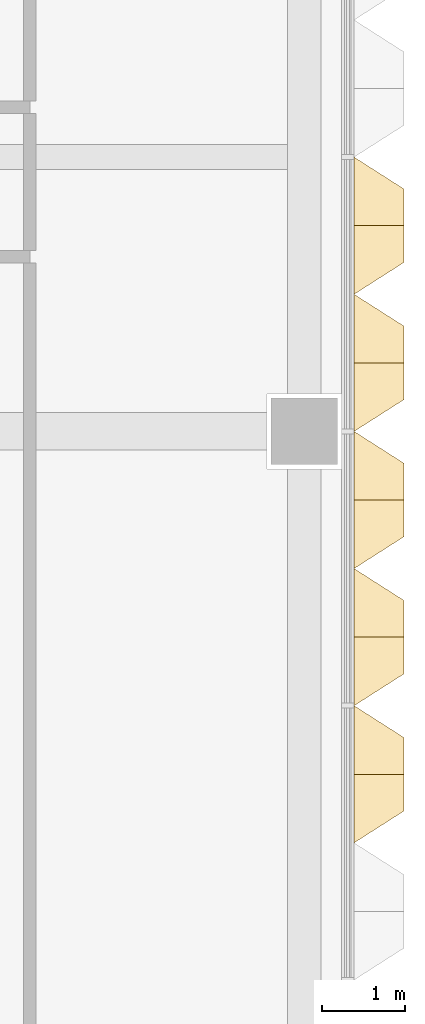
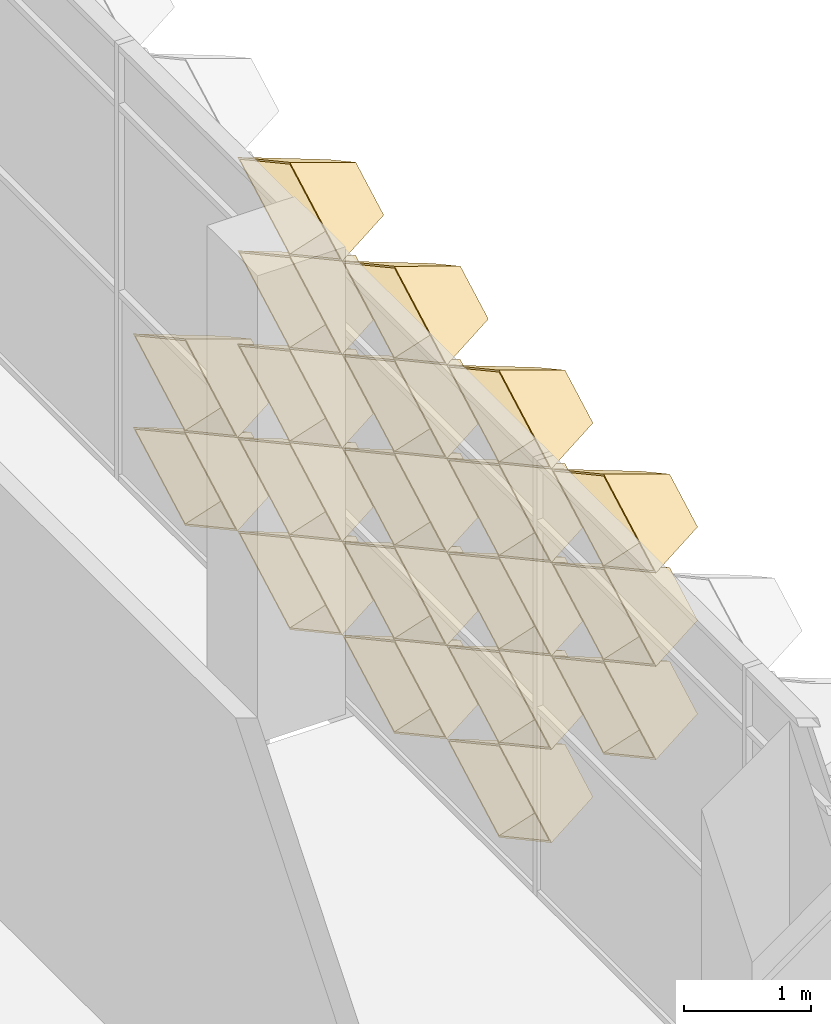
# One storey, part 63 of 85: 20 coverings.
"""IFC4 building model written with IfcOpenShell, lengths in metres."""

from ifc_helpers import new_model, entity, si_unit, direction, frame, origin, place, context, subcontext, project, spatial, material, layer, layer_set, type_object, element, save


model = new_model("IFC4")

# Units and contexts
model_context = context("Model", 3, precision=1e-05, world=origin(), true_north=direction((0.0, 1.0)))
body_context = subcontext(model_context, "Body", "Model", "MODEL_VIEW")
ifc_project = project(units=[si_unit("LENGTHUNIT", "METRE"), si_unit("AREAUNIT", "SQUARE_METRE"), si_unit("VOLUMEUNIT", "CUBIC_METRE"), si_unit("PLANEANGLEUNIT", "RADIAN"), si_unit("MASSUNIT", "GRAM", prefix="KILO")], contexts=[model_context])

# Site, building, storey
site_placement = place(None, origin())
site = spatial("IfcSite", under=ifc_project, at=site_placement, CompositionType="ELEMENT")
building_placement = place(site_placement, origin())
building = spatial("IfcBuilding", under=site, at=building_placement, Name="Lantern Court Research Institute", CompositionType="ELEMENT")
storey_placement = place(building_placement, frame((0.0, 0.0, 18.89990234375)))
storey = spatial("IfcBuildingStorey", under=building, at=storey_placement, Name="L04", CompositionType="ELEMENT", Elevation=18.89990234375)

# Coverings
ifc_material = material(Name="Anodised aluminium", Category="aluminium")
ifc_layer = layer(ifc_material, 0.01611328125)
ifc_layer_set = layer_set([ifc_layer], Name="Anodised aluminium")
covering_type = type_object("IfcCoveringType", Name="Fin cassette 1650 x 900 x 600 aluminium", PredefinedType="CLADDING", material=ifc_layer_set)
covering_1_placement = place(storey_placement, frame((79.800048828125, -2.47509765625, 0.4501953125), z_axis=(1.0, 0.0, 0.0), x_axis=(0.0, 1.0, 0.0)))
cartesian_point_1 = entity("IfcCartesianPoint", [0.824951171875, 0.0])
cartesian_point_2 = entity("IfcCartesianPoint", [0.79150390625, 0.0])
cartesian_point_3 = entity("IfcCartesianPoint", [0.44189453125, 0.0])
cartesian_point_4 = entity("IfcCartesianPoint", [0.43359375, 0.0])
element("IfcCovering", 1, at=covering_1_placement, inside=storey, type_object=covering_type, Name="Fin cassette V5E-L04 1.-1", PredefinedType="CLADDING", context=body_context, shape_type="SweptSolid", body=[
    entity("IfcExtrudedAreaSolidTapered", entity("IfcArbitraryProfileDefWithVoids", "AREA", None, entity("IfcPolyline", [cartesian_point_1, entity("IfcCartesianPoint", [0.0, 0.449951171875]), entity("IfcCartesianPoint", [-0.824951171875, 0.0]), entity("IfcCartesianPoint", [0.0, -0.449951171875]), cartesian_point_1]), [entity("IfcPolyline", [cartesian_point_2, entity("IfcCartesianPoint", [0.0, 0.431884765625]), entity("IfcCartesianPoint", [-0.79150390625, 0.0]), entity("IfcCartesianPoint", [0.0, -0.431884765625]), cartesian_point_2])]), entity("IfcAxis2Placement3D", entity("IfcCartesianPoint", [0.0, 0.0, 0.0])), entity("IfcDirection", [0.0, 0.0, 1.0]), 0.60009765625, entity("IfcArbitraryProfileDefWithVoids", "AREA", None, entity("IfcPolyline", [cartesian_point_3, entity("IfcCartesianPoint", [0.0, 0.240966796875]), entity("IfcCartesianPoint", [-0.44189453125, 0.0]), entity("IfcCartesianPoint", [0.0, -0.240966796875]), cartesian_point_3]), [entity("IfcPolyline", [cartesian_point_4, entity("IfcCartesianPoint", [0.0, 0.236572265625]), entity("IfcCartesianPoint", [-0.43359375, 0.0]), entity("IfcCartesianPoint", [0.0, -0.236572265625]), cartesian_point_4])])),
])
covering_2_placement = place(storey_placement, frame((79.800048828125, -0.824951171875, 0.4501953125), z_axis=(1.0, 0.0, 0.0), x_axis=(0.0, 1.0, 0.0)))
cartesian_point_5 = entity("IfcCartesianPoint", [0.824951171875, 0.0])
cartesian_point_6 = entity("IfcCartesianPoint", [0.79150390625, 0.0])
cartesian_point_7 = entity("IfcCartesianPoint", [0.44189453125, 0.0])
cartesian_point_8 = entity("IfcCartesianPoint", [0.43359375, 0.0])
element("IfcCovering", 2, at=covering_2_placement, inside=storey, type_object=covering_type, Name="Fin cassette V5E-L04 1.0", PredefinedType="CLADDING", context=body_context, shape_type="SweptSolid", body=[
    entity("IfcExtrudedAreaSolidTapered", entity("IfcArbitraryProfileDefWithVoids", "AREA", None, entity("IfcPolyline", [cartesian_point_5, entity("IfcCartesianPoint", [0.0, 0.449951171875]), entity("IfcCartesianPoint", [-0.824951171875, 0.0]), entity("IfcCartesianPoint", [0.0, -0.449951171875]), cartesian_point_5]), [entity("IfcPolyline", [cartesian_point_6, entity("IfcCartesianPoint", [0.0, 0.431884765625]), entity("IfcCartesianPoint", [-0.79150390625, 0.0]), entity("IfcCartesianPoint", [0.0, -0.431884765625]), cartesian_point_6])]), entity("IfcAxis2Placement3D", entity("IfcCartesianPoint", [0.0, 0.0, 0.0])), entity("IfcDirection", [0.0, 0.0, 1.0]), 0.60009765625, entity("IfcArbitraryProfileDefWithVoids", "AREA", None, entity("IfcPolyline", [cartesian_point_7, entity("IfcCartesianPoint", [0.0, 0.240966796875]), entity("IfcCartesianPoint", [-0.44189453125, 0.0]), entity("IfcCartesianPoint", [0.0, -0.240966796875]), cartesian_point_7]), [entity("IfcPolyline", [cartesian_point_8, entity("IfcCartesianPoint", [0.0, 0.236572265625]), entity("IfcCartesianPoint", [-0.43359375, 0.0]), entity("IfcCartesianPoint", [0.0, -0.236572265625]), cartesian_point_8])])),
])
covering_3_placement = place(storey_placement, frame((79.800048828125, 0.824951171875, 0.4501953125), z_axis=(1.0, 0.0, 0.0), x_axis=(0.0, 1.0, 0.0)))
cartesian_point_9 = entity("IfcCartesianPoint", [0.824951171875, 0.0])
cartesian_point_10 = entity("IfcCartesianPoint", [0.79150390625, 0.0])
cartesian_point_11 = entity("IfcCartesianPoint", [0.44189453125, 0.0])
cartesian_point_12 = entity("IfcCartesianPoint", [0.43359375, 0.0])
element("IfcCovering", 3, at=covering_3_placement, inside=storey, type_object=covering_type, Name="Fin cassette V5E-L04 1.1", PredefinedType="CLADDING", context=body_context, shape_type="SweptSolid", body=[
    entity("IfcExtrudedAreaSolidTapered", entity("IfcArbitraryProfileDefWithVoids", "AREA", None, entity("IfcPolyline", [cartesian_point_9, entity("IfcCartesianPoint", [0.0, 0.449951171875]), entity("IfcCartesianPoint", [-0.824951171875, 0.0]), entity("IfcCartesianPoint", [0.0, -0.449951171875]), cartesian_point_9]), [entity("IfcPolyline", [cartesian_point_10, entity("IfcCartesianPoint", [0.0, 0.431884765625]), entity("IfcCartesianPoint", [-0.79150390625, 0.0]), entity("IfcCartesianPoint", [0.0, -0.431884765625]), cartesian_point_10])]), entity("IfcAxis2Placement3D", entity("IfcCartesianPoint", [0.0, 0.0, 0.0])), entity("IfcDirection", [0.0, 0.0, 1.0]), 0.60009765625, entity("IfcArbitraryProfileDefWithVoids", "AREA", None, entity("IfcPolyline", [cartesian_point_11, entity("IfcCartesianPoint", [0.0, 0.240966796875]), entity("IfcCartesianPoint", [-0.44189453125, 0.0]), entity("IfcCartesianPoint", [0.0, -0.240966796875]), cartesian_point_11]), [entity("IfcPolyline", [cartesian_point_12, entity("IfcCartesianPoint", [0.0, 0.236572265625]), entity("IfcCartesianPoint", [-0.43359375, 0.0]), entity("IfcCartesianPoint", [0.0, -0.236572265625]), cartesian_point_12])])),
])
covering_4_placement = place(storey_placement, frame((79.800048828125, 2.47509765625, 0.4501953125), z_axis=(1.0, 0.0, 0.0), x_axis=(0.0, 1.0, 0.0)))
cartesian_point_13 = entity("IfcCartesianPoint", [0.824951171875, 0.0])
cartesian_point_14 = entity("IfcCartesianPoint", [0.79150390625, 0.0])
cartesian_point_15 = entity("IfcCartesianPoint", [0.44189453125, 0.0])
cartesian_point_16 = entity("IfcCartesianPoint", [0.43359375, 0.0])
element("IfcCovering", 4, at=covering_4_placement, inside=storey, type_object=covering_type, Name="Fin cassette V5E-L04 1.2", PredefinedType="CLADDING", context=body_context, shape_type="SweptSolid", body=[
    entity("IfcExtrudedAreaSolidTapered", entity("IfcArbitraryProfileDefWithVoids", "AREA", None, entity("IfcPolyline", [cartesian_point_13, entity("IfcCartesianPoint", [0.0, 0.449951171875]), entity("IfcCartesianPoint", [-0.824951171875, 0.0]), entity("IfcCartesianPoint", [0.0, -0.449951171875]), cartesian_point_13]), [entity("IfcPolyline", [cartesian_point_14, entity("IfcCartesianPoint", [0.0, 0.431884765625]), entity("IfcCartesianPoint", [-0.79150390625, 0.0]), entity("IfcCartesianPoint", [0.0, -0.431884765625]), cartesian_point_14])]), entity("IfcAxis2Placement3D", entity("IfcCartesianPoint", [0.0, 0.0, 0.0])), entity("IfcDirection", [0.0, 0.0, 1.0]), 0.60009765625, entity("IfcArbitraryProfileDefWithVoids", "AREA", None, entity("IfcPolyline", [cartesian_point_15, entity("IfcCartesianPoint", [0.0, 0.240966796875]), entity("IfcCartesianPoint", [-0.44189453125, 0.0]), entity("IfcCartesianPoint", [0.0, -0.240966796875]), cartesian_point_15]), [entity("IfcPolyline", [cartesian_point_16, entity("IfcCartesianPoint", [0.0, 0.236572265625]), entity("IfcCartesianPoint", [-0.43359375, 0.0]), entity("IfcCartesianPoint", [0.0, -0.236572265625]), cartesian_point_16])])),
])
covering_5_placement = place(storey_placement, frame((79.800048828125, -2.47509765625, 1.35009765625), z_axis=(1.0, 0.0, 0.0), x_axis=(0.0, 1.0, 0.0)))
cartesian_point_17 = entity("IfcCartesianPoint", [0.824951171875, 0.0])
cartesian_point_18 = entity("IfcCartesianPoint", [0.79150390625, 0.0])
cartesian_point_19 = entity("IfcCartesianPoint", [0.44189453125, 0.0])
cartesian_point_20 = entity("IfcCartesianPoint", [0.43359375, 0.0])
element("IfcCovering", 5, at=covering_5_placement, inside=storey, type_object=covering_type, Name="Fin cassette V5E-L04 2.-1", PredefinedType="CLADDING", context=body_context, shape_type="SweptSolid", body=[
    entity("IfcExtrudedAreaSolidTapered", entity("IfcArbitraryProfileDefWithVoids", "AREA", None, entity("IfcPolyline", [cartesian_point_17, entity("IfcCartesianPoint", [0.0, 0.449951171875]), entity("IfcCartesianPoint", [-0.824951171875, 0.0]), entity("IfcCartesianPoint", [0.0, -0.449951171875]), cartesian_point_17]), [entity("IfcPolyline", [cartesian_point_18, entity("IfcCartesianPoint", [0.0, 0.431884765625]), entity("IfcCartesianPoint", [-0.79150390625, 0.0]), entity("IfcCartesianPoint", [0.0, -0.431884765625]), cartesian_point_18])]), entity("IfcAxis2Placement3D", entity("IfcCartesianPoint", [0.0, 0.0, 0.0])), entity("IfcDirection", [0.0, 0.0, 1.0]), 0.60009765625, entity("IfcArbitraryProfileDefWithVoids", "AREA", None, entity("IfcPolyline", [cartesian_point_19, entity("IfcCartesianPoint", [0.0, 0.240966796875]), entity("IfcCartesianPoint", [-0.44189453125, 0.0]), entity("IfcCartesianPoint", [0.0, -0.240966796875]), cartesian_point_19]), [entity("IfcPolyline", [cartesian_point_20, entity("IfcCartesianPoint", [0.0, 0.236572265625]), entity("IfcCartesianPoint", [-0.43359375, 0.0]), entity("IfcCartesianPoint", [0.0, -0.236572265625]), cartesian_point_20])])),
])
covering_6_placement = place(storey_placement, frame((79.800048828125, -0.824951171875, 1.35009765625), z_axis=(1.0, 0.0, 0.0), x_axis=(0.0, 1.0, 0.0)))
cartesian_point_21 = entity("IfcCartesianPoint", [0.824951171875, 0.0])
cartesian_point_22 = entity("IfcCartesianPoint", [0.79150390625, 0.0])
cartesian_point_23 = entity("IfcCartesianPoint", [0.44189453125, 0.0])
cartesian_point_24 = entity("IfcCartesianPoint", [0.43359375, 0.0])
element("IfcCovering", 6, at=covering_6_placement, inside=storey, type_object=covering_type, Name="Fin cassette V5E-L04 2.0", PredefinedType="CLADDING", context=body_context, shape_type="SweptSolid", body=[
    entity("IfcExtrudedAreaSolidTapered", entity("IfcArbitraryProfileDefWithVoids", "AREA", None, entity("IfcPolyline", [cartesian_point_21, entity("IfcCartesianPoint", [0.0, 0.449951171875]), entity("IfcCartesianPoint", [-0.824951171875, 0.0]), entity("IfcCartesianPoint", [0.0, -0.449951171875]), cartesian_point_21]), [entity("IfcPolyline", [cartesian_point_22, entity("IfcCartesianPoint", [0.0, 0.431884765625]), entity("IfcCartesianPoint", [-0.79150390625, 0.0]), entity("IfcCartesianPoint", [0.0, -0.431884765625]), cartesian_point_22])]), entity("IfcAxis2Placement3D", entity("IfcCartesianPoint", [0.0, 0.0, 0.0])), entity("IfcDirection", [0.0, 0.0, 1.0]), 0.60009765625, entity("IfcArbitraryProfileDefWithVoids", "AREA", None, entity("IfcPolyline", [cartesian_point_23, entity("IfcCartesianPoint", [0.0, 0.240966796875]), entity("IfcCartesianPoint", [-0.44189453125, 0.0]), entity("IfcCartesianPoint", [0.0, -0.240966796875]), cartesian_point_23]), [entity("IfcPolyline", [cartesian_point_24, entity("IfcCartesianPoint", [0.0, 0.236572265625]), entity("IfcCartesianPoint", [-0.43359375, 0.0]), entity("IfcCartesianPoint", [0.0, -0.236572265625]), cartesian_point_24])])),
])
covering_7_placement = place(storey_placement, frame((79.800048828125, 0.824951171875, 1.35009765625), z_axis=(1.0, 0.0, 0.0), x_axis=(0.0, 1.0, 0.0)))
cartesian_point_25 = entity("IfcCartesianPoint", [0.824951171875, 0.0])
cartesian_point_26 = entity("IfcCartesianPoint", [0.79150390625, 0.0])
cartesian_point_27 = entity("IfcCartesianPoint", [0.44189453125, 0.0])
cartesian_point_28 = entity("IfcCartesianPoint", [0.43359375, 0.0])
element("IfcCovering", 7, at=covering_7_placement, inside=storey, type_object=covering_type, Name="Fin cassette V5E-L04 2.1", PredefinedType="CLADDING", context=body_context, shape_type="SweptSolid", body=[
    entity("IfcExtrudedAreaSolidTapered", entity("IfcArbitraryProfileDefWithVoids", "AREA", None, entity("IfcPolyline", [cartesian_point_25, entity("IfcCartesianPoint", [0.0, 0.449951171875]), entity("IfcCartesianPoint", [-0.824951171875, 0.0]), entity("IfcCartesianPoint", [0.0, -0.449951171875]), cartesian_point_25]), [entity("IfcPolyline", [cartesian_point_26, entity("IfcCartesianPoint", [0.0, 0.431884765625]), entity("IfcCartesianPoint", [-0.79150390625, 0.0]), entity("IfcCartesianPoint", [0.0, -0.431884765625]), cartesian_point_26])]), entity("IfcAxis2Placement3D", entity("IfcCartesianPoint", [0.0, 0.0, 0.0])), entity("IfcDirection", [0.0, 0.0, 1.0]), 0.60009765625, entity("IfcArbitraryProfileDefWithVoids", "AREA", None, entity("IfcPolyline", [cartesian_point_27, entity("IfcCartesianPoint", [0.0, 0.240966796875]), entity("IfcCartesianPoint", [-0.44189453125, 0.0]), entity("IfcCartesianPoint", [0.0, -0.240966796875]), cartesian_point_27]), [entity("IfcPolyline", [cartesian_point_28, entity("IfcCartesianPoint", [0.0, 0.236572265625]), entity("IfcCartesianPoint", [-0.43359375, 0.0]), entity("IfcCartesianPoint", [0.0, -0.236572265625]), cartesian_point_28])])),
])
covering_8_placement = place(storey_placement, frame((79.800048828125, 2.47509765625, 1.35009765625), z_axis=(1.0, 0.0, 0.0), x_axis=(0.0, 1.0, 0.0)))
cartesian_point_29 = entity("IfcCartesianPoint", [0.824951171875, 0.0])
cartesian_point_30 = entity("IfcCartesianPoint", [0.79150390625, 0.0])
cartesian_point_31 = entity("IfcCartesianPoint", [0.44189453125, 0.0])
cartesian_point_32 = entity("IfcCartesianPoint", [0.43359375, 0.0])
element("IfcCovering", 8, at=covering_8_placement, inside=storey, type_object=covering_type, Name="Fin cassette V5E-L04 2.2", PredefinedType="CLADDING", context=body_context, shape_type="SweptSolid", body=[
    entity("IfcExtrudedAreaSolidTapered", entity("IfcArbitraryProfileDefWithVoids", "AREA", None, entity("IfcPolyline", [cartesian_point_29, entity("IfcCartesianPoint", [0.0, 0.449951171875]), entity("IfcCartesianPoint", [-0.824951171875, 0.0]), entity("IfcCartesianPoint", [0.0, -0.449951171875]), cartesian_point_29]), [entity("IfcPolyline", [cartesian_point_30, entity("IfcCartesianPoint", [0.0, 0.431884765625]), entity("IfcCartesianPoint", [-0.79150390625, 0.0]), entity("IfcCartesianPoint", [0.0, -0.431884765625]), cartesian_point_30])]), entity("IfcAxis2Placement3D", entity("IfcCartesianPoint", [0.0, 0.0, 0.0])), entity("IfcDirection", [0.0, 0.0, 1.0]), 0.60009765625, entity("IfcArbitraryProfileDefWithVoids", "AREA", None, entity("IfcPolyline", [cartesian_point_31, entity("IfcCartesianPoint", [0.0, 0.240966796875]), entity("IfcCartesianPoint", [-0.44189453125, 0.0]), entity("IfcCartesianPoint", [0.0, -0.240966796875]), cartesian_point_31]), [entity("IfcPolyline", [cartesian_point_32, entity("IfcCartesianPoint", [0.0, 0.236572265625]), entity("IfcCartesianPoint", [-0.43359375, 0.0]), entity("IfcCartesianPoint", [0.0, -0.236572265625]), cartesian_point_32])])),
])
covering_9_placement = place(storey_placement, frame((79.800048828125, -4.125, 2.25), z_axis=(1.0, 0.0, 0.0), x_axis=(0.0, 1.0, 0.0)))
cartesian_point_33 = entity("IfcCartesianPoint", [0.824951171875, 0.0])
cartesian_point_34 = entity("IfcCartesianPoint", [0.79150390625, 0.0])
cartesian_point_35 = entity("IfcCartesianPoint", [0.44189453125, 0.0])
cartesian_point_36 = entity("IfcCartesianPoint", [0.43359375, 0.0])
element("IfcCovering", 9, at=covering_9_placement, inside=storey, type_object=covering_type, Name="Fin cassette V5E-L04 3.-2", PredefinedType="CLADDING", context=body_context, shape_type="SweptSolid", body=[
    entity("IfcExtrudedAreaSolidTapered", entity("IfcArbitraryProfileDefWithVoids", "AREA", None, entity("IfcPolyline", [cartesian_point_33, entity("IfcCartesianPoint", [0.0, 0.449951171875]), entity("IfcCartesianPoint", [-0.824951171875, 0.0]), entity("IfcCartesianPoint", [0.0, -0.449951171875]), cartesian_point_33]), [entity("IfcPolyline", [cartesian_point_34, entity("IfcCartesianPoint", [0.0, 0.431884765625]), entity("IfcCartesianPoint", [-0.79150390625, 0.0]), entity("IfcCartesianPoint", [0.0, -0.431884765625]), cartesian_point_34])]), entity("IfcAxis2Placement3D", entity("IfcCartesianPoint", [0.0, 0.0, 0.0])), entity("IfcDirection", [0.0, 0.0, 1.0]), 0.60009765625, entity("IfcArbitraryProfileDefWithVoids", "AREA", None, entity("IfcPolyline", [cartesian_point_35, entity("IfcCartesianPoint", [0.0, 0.240966796875]), entity("IfcCartesianPoint", [-0.44189453125, 0.0]), entity("IfcCartesianPoint", [0.0, -0.240966796875]), cartesian_point_35]), [entity("IfcPolyline", [cartesian_point_36, entity("IfcCartesianPoint", [0.0, 0.236572265625]), entity("IfcCartesianPoint", [-0.43359375, 0.0]), entity("IfcCartesianPoint", [0.0, -0.236572265625]), cartesian_point_36])])),
])
covering_10_placement = place(storey_placement, frame((79.800048828125, -2.47509765625, 2.25), z_axis=(1.0, 0.0, 0.0), x_axis=(0.0, 1.0, 0.0)))
cartesian_point_37 = entity("IfcCartesianPoint", [0.824951171875, 0.0])
cartesian_point_38 = entity("IfcCartesianPoint", [0.79150390625, 0.0])
cartesian_point_39 = entity("IfcCartesianPoint", [0.44189453125, 0.0])
cartesian_point_40 = entity("IfcCartesianPoint", [0.43359375, 0.0])
element("IfcCovering", 10, at=covering_10_placement, inside=storey, type_object=covering_type, Name="Fin cassette V5E-L04 3.-1", PredefinedType="CLADDING", context=body_context, shape_type="SweptSolid", body=[
    entity("IfcExtrudedAreaSolidTapered", entity("IfcArbitraryProfileDefWithVoids", "AREA", None, entity("IfcPolyline", [cartesian_point_37, entity("IfcCartesianPoint", [0.0, 0.449951171875]), entity("IfcCartesianPoint", [-0.824951171875, 0.0]), entity("IfcCartesianPoint", [0.0, -0.449951171875]), cartesian_point_37]), [entity("IfcPolyline", [cartesian_point_38, entity("IfcCartesianPoint", [0.0, 0.431884765625]), entity("IfcCartesianPoint", [-0.79150390625, 0.0]), entity("IfcCartesianPoint", [0.0, -0.431884765625]), cartesian_point_38])]), entity("IfcAxis2Placement3D", entity("IfcCartesianPoint", [0.0, 0.0, 0.0])), entity("IfcDirection", [0.0, 0.0, 1.0]), 0.60009765625, entity("IfcArbitraryProfileDefWithVoids", "AREA", None, entity("IfcPolyline", [cartesian_point_39, entity("IfcCartesianPoint", [0.0, 0.240966796875]), entity("IfcCartesianPoint", [-0.44189453125, 0.0]), entity("IfcCartesianPoint", [0.0, -0.240966796875]), cartesian_point_39]), [entity("IfcPolyline", [cartesian_point_40, entity("IfcCartesianPoint", [0.0, 0.236572265625]), entity("IfcCartesianPoint", [-0.43359375, 0.0]), entity("IfcCartesianPoint", [0.0, -0.236572265625]), cartesian_point_40])])),
])
covering_11_placement = place(storey_placement, frame((79.800048828125, -0.824951171875, 2.25), z_axis=(1.0, 0.0, 0.0), x_axis=(0.0, 1.0, 0.0)))
cartesian_point_41 = entity("IfcCartesianPoint", [0.824951171875, 0.0])
cartesian_point_42 = entity("IfcCartesianPoint", [0.79150390625, 0.0])
cartesian_point_43 = entity("IfcCartesianPoint", [0.44189453125, 0.0])
cartesian_point_44 = entity("IfcCartesianPoint", [0.43359375, 0.0])
element("IfcCovering", 11, at=covering_11_placement, inside=storey, type_object=covering_type, Name="Fin cassette V5E-L04 3.0", PredefinedType="CLADDING", context=body_context, shape_type="SweptSolid", body=[
    entity("IfcExtrudedAreaSolidTapered", entity("IfcArbitraryProfileDefWithVoids", "AREA", None, entity("IfcPolyline", [cartesian_point_41, entity("IfcCartesianPoint", [0.0, 0.449951171875]), entity("IfcCartesianPoint", [-0.824951171875, 0.0]), entity("IfcCartesianPoint", [0.0, -0.449951171875]), cartesian_point_41]), [entity("IfcPolyline", [cartesian_point_42, entity("IfcCartesianPoint", [0.0, 0.431884765625]), entity("IfcCartesianPoint", [-0.79150390625, 0.0]), entity("IfcCartesianPoint", [0.0, -0.431884765625]), cartesian_point_42])]), entity("IfcAxis2Placement3D", entity("IfcCartesianPoint", [0.0, 0.0, 0.0])), entity("IfcDirection", [0.0, 0.0, 1.0]), 0.60009765625, entity("IfcArbitraryProfileDefWithVoids", "AREA", None, entity("IfcPolyline", [cartesian_point_43, entity("IfcCartesianPoint", [0.0, 0.240966796875]), entity("IfcCartesianPoint", [-0.44189453125, 0.0]), entity("IfcCartesianPoint", [0.0, -0.240966796875]), cartesian_point_43]), [entity("IfcPolyline", [cartesian_point_44, entity("IfcCartesianPoint", [0.0, 0.236572265625]), entity("IfcCartesianPoint", [-0.43359375, 0.0]), entity("IfcCartesianPoint", [0.0, -0.236572265625]), cartesian_point_44])])),
])
covering_12_placement = place(storey_placement, frame((79.800048828125, 0.824951171875, 2.25), z_axis=(1.0, 0.0, 0.0), x_axis=(0.0, 1.0, 0.0)))
cartesian_point_45 = entity("IfcCartesianPoint", [0.824951171875, 0.0])
cartesian_point_46 = entity("IfcCartesianPoint", [0.79150390625, 0.0])
cartesian_point_47 = entity("IfcCartesianPoint", [0.44189453125, 0.0])
cartesian_point_48 = entity("IfcCartesianPoint", [0.43359375, 0.0])
element("IfcCovering", 12, at=covering_12_placement, inside=storey, type_object=covering_type, Name="Fin cassette V5E-L04 3.1", PredefinedType="CLADDING", context=body_context, shape_type="SweptSolid", body=[
    entity("IfcExtrudedAreaSolidTapered", entity("IfcArbitraryProfileDefWithVoids", "AREA", None, entity("IfcPolyline", [cartesian_point_45, entity("IfcCartesianPoint", [0.0, 0.449951171875]), entity("IfcCartesianPoint", [-0.824951171875, 0.0]), entity("IfcCartesianPoint", [0.0, -0.449951171875]), cartesian_point_45]), [entity("IfcPolyline", [cartesian_point_46, entity("IfcCartesianPoint", [0.0, 0.431884765625]), entity("IfcCartesianPoint", [-0.79150390625, 0.0]), entity("IfcCartesianPoint", [0.0, -0.431884765625]), cartesian_point_46])]), entity("IfcAxis2Placement3D", entity("IfcCartesianPoint", [0.0, 0.0, 0.0])), entity("IfcDirection", [0.0, 0.0, 1.0]), 0.60009765625, entity("IfcArbitraryProfileDefWithVoids", "AREA", None, entity("IfcPolyline", [cartesian_point_47, entity("IfcCartesianPoint", [0.0, 0.240966796875]), entity("IfcCartesianPoint", [-0.44189453125, 0.0]), entity("IfcCartesianPoint", [0.0, -0.240966796875]), cartesian_point_47]), [entity("IfcPolyline", [cartesian_point_48, entity("IfcCartesianPoint", [0.0, 0.236572265625]), entity("IfcCartesianPoint", [-0.43359375, 0.0]), entity("IfcCartesianPoint", [0.0, -0.236572265625]), cartesian_point_48])])),
])
covering_13_placement = place(storey_placement, frame((79.800048828125, -4.125, 3.150146484375), z_axis=(1.0, 0.0, 0.0), x_axis=(0.0, 1.0, 0.0)))
cartesian_point_49 = entity("IfcCartesianPoint", [0.824951171875, 0.0])
cartesian_point_50 = entity("IfcCartesianPoint", [0.79150390625, 0.0])
cartesian_point_51 = entity("IfcCartesianPoint", [0.44189453125, 0.0])
cartesian_point_52 = entity("IfcCartesianPoint", [0.43359375, 0.0])
element("IfcCovering", 13, at=covering_13_placement, inside=storey, type_object=covering_type, Name="Fin cassette V5E-L04 4.-2", PredefinedType="CLADDING", context=body_context, shape_type="SweptSolid", body=[
    entity("IfcExtrudedAreaSolidTapered", entity("IfcArbitraryProfileDefWithVoids", "AREA", None, entity("IfcPolyline", [cartesian_point_49, entity("IfcCartesianPoint", [0.0, 0.449951171875]), entity("IfcCartesianPoint", [-0.824951171875, 0.0]), entity("IfcCartesianPoint", [0.0, -0.449951171875]), cartesian_point_49]), [entity("IfcPolyline", [cartesian_point_50, entity("IfcCartesianPoint", [0.0, 0.431884765625]), entity("IfcCartesianPoint", [-0.79150390625, 0.0]), entity("IfcCartesianPoint", [0.0, -0.431884765625]), cartesian_point_50])]), entity("IfcAxis2Placement3D", entity("IfcCartesianPoint", [0.0, 0.0, 0.0])), entity("IfcDirection", [0.0, 0.0, 1.0]), 0.60009765625, entity("IfcArbitraryProfileDefWithVoids", "AREA", None, entity("IfcPolyline", [cartesian_point_51, entity("IfcCartesianPoint", [0.0, 0.240966796875]), entity("IfcCartesianPoint", [-0.44189453125, 0.0]), entity("IfcCartesianPoint", [0.0, -0.240966796875]), cartesian_point_51]), [entity("IfcPolyline", [cartesian_point_52, entity("IfcCartesianPoint", [0.0, 0.236572265625]), entity("IfcCartesianPoint", [-0.43359375, 0.0]), entity("IfcCartesianPoint", [0.0, -0.236572265625]), cartesian_point_52])])),
])
covering_14_placement = place(storey_placement, frame((79.800048828125, -2.47509765625, 3.150146484375), z_axis=(1.0, 0.0, 0.0), x_axis=(0.0, 1.0, 0.0)))
cartesian_point_53 = entity("IfcCartesianPoint", [0.824951171875, 0.0])
cartesian_point_54 = entity("IfcCartesianPoint", [0.79150390625, 0.0])
cartesian_point_55 = entity("IfcCartesianPoint", [0.44189453125, 0.0])
cartesian_point_56 = entity("IfcCartesianPoint", [0.43359375, 0.0])
element("IfcCovering", 14, at=covering_14_placement, inside=storey, type_object=covering_type, Name="Fin cassette V5E-L04 4.-1", PredefinedType="CLADDING", context=body_context, shape_type="SweptSolid", body=[
    entity("IfcExtrudedAreaSolidTapered", entity("IfcArbitraryProfileDefWithVoids", "AREA", None, entity("IfcPolyline", [cartesian_point_53, entity("IfcCartesianPoint", [0.0, 0.449951171875]), entity("IfcCartesianPoint", [-0.824951171875, 0.0]), entity("IfcCartesianPoint", [0.0, -0.449951171875]), cartesian_point_53]), [entity("IfcPolyline", [cartesian_point_54, entity("IfcCartesianPoint", [0.0, 0.431884765625]), entity("IfcCartesianPoint", [-0.79150390625, 0.0]), entity("IfcCartesianPoint", [0.0, -0.431884765625]), cartesian_point_54])]), entity("IfcAxis2Placement3D", entity("IfcCartesianPoint", [0.0, 0.0, 0.0])), entity("IfcDirection", [0.0, 0.0, 1.0]), 0.60009765625, entity("IfcArbitraryProfileDefWithVoids", "AREA", None, entity("IfcPolyline", [cartesian_point_55, entity("IfcCartesianPoint", [0.0, 0.240966796875]), entity("IfcCartesianPoint", [-0.44189453125, 0.0]), entity("IfcCartesianPoint", [0.0, -0.240966796875]), cartesian_point_55]), [entity("IfcPolyline", [cartesian_point_56, entity("IfcCartesianPoint", [0.0, 0.236572265625]), entity("IfcCartesianPoint", [-0.43359375, 0.0]), entity("IfcCartesianPoint", [0.0, -0.236572265625]), cartesian_point_56])])),
])
covering_15_placement = place(storey_placement, frame((79.800048828125, -0.824951171875, 3.150146484375), z_axis=(1.0, 0.0, 0.0), x_axis=(0.0, 1.0, 0.0)))
cartesian_point_57 = entity("IfcCartesianPoint", [0.824951171875, 0.0])
cartesian_point_58 = entity("IfcCartesianPoint", [0.79150390625, 0.0])
cartesian_point_59 = entity("IfcCartesianPoint", [0.44189453125, 0.0])
cartesian_point_60 = entity("IfcCartesianPoint", [0.43359375, 0.0])
element("IfcCovering", 15, at=covering_15_placement, inside=storey, type_object=covering_type, Name="Fin cassette V5E-L04 4.0", PredefinedType="CLADDING", context=body_context, shape_type="SweptSolid", body=[
    entity("IfcExtrudedAreaSolidTapered", entity("IfcArbitraryProfileDefWithVoids", "AREA", None, entity("IfcPolyline", [cartesian_point_57, entity("IfcCartesianPoint", [0.0, 0.449951171875]), entity("IfcCartesianPoint", [-0.824951171875, 0.0]), entity("IfcCartesianPoint", [0.0, -0.449951171875]), cartesian_point_57]), [entity("IfcPolyline", [cartesian_point_58, entity("IfcCartesianPoint", [0.0, 0.431884765625]), entity("IfcCartesianPoint", [-0.79150390625, 0.0]), entity("IfcCartesianPoint", [0.0, -0.431884765625]), cartesian_point_58])]), entity("IfcAxis2Placement3D", entity("IfcCartesianPoint", [0.0, 0.0, 0.0])), entity("IfcDirection", [0.0, 0.0, 1.0]), 0.60009765625, entity("IfcArbitraryProfileDefWithVoids", "AREA", None, entity("IfcPolyline", [cartesian_point_59, entity("IfcCartesianPoint", [0.0, 0.240966796875]), entity("IfcCartesianPoint", [-0.44189453125, 0.0]), entity("IfcCartesianPoint", [0.0, -0.240966796875]), cartesian_point_59]), [entity("IfcPolyline", [cartesian_point_60, entity("IfcCartesianPoint", [0.0, 0.236572265625]), entity("IfcCartesianPoint", [-0.43359375, 0.0]), entity("IfcCartesianPoint", [0.0, -0.236572265625]), cartesian_point_60])])),
])
covering_16_placement = place(storey_placement, frame((79.800048828125, 0.824951171875, 3.150146484375), z_axis=(1.0, 0.0, 0.0), x_axis=(0.0, 1.0, 0.0)))
cartesian_point_61 = entity("IfcCartesianPoint", [0.824951171875, 0.0])
cartesian_point_62 = entity("IfcCartesianPoint", [0.79150390625, 0.0])
cartesian_point_63 = entity("IfcCartesianPoint", [0.44189453125, 0.0])
cartesian_point_64 = entity("IfcCartesianPoint", [0.43359375, 0.0])
element("IfcCovering", 16, at=covering_16_placement, inside=storey, type_object=covering_type, Name="Fin cassette V5E-L04 4.1", PredefinedType="CLADDING", context=body_context, shape_type="SweptSolid", body=[
    entity("IfcExtrudedAreaSolidTapered", entity("IfcArbitraryProfileDefWithVoids", "AREA", None, entity("IfcPolyline", [cartesian_point_61, entity("IfcCartesianPoint", [0.0, 0.449951171875]), entity("IfcCartesianPoint", [-0.824951171875, 0.0]), entity("IfcCartesianPoint", [0.0, -0.449951171875]), cartesian_point_61]), [entity("IfcPolyline", [cartesian_point_62, entity("IfcCartesianPoint", [0.0, 0.431884765625]), entity("IfcCartesianPoint", [-0.79150390625, 0.0]), entity("IfcCartesianPoint", [0.0, -0.431884765625]), cartesian_point_62])]), entity("IfcAxis2Placement3D", entity("IfcCartesianPoint", [0.0, 0.0, 0.0])), entity("IfcDirection", [0.0, 0.0, 1.0]), 0.60009765625, entity("IfcArbitraryProfileDefWithVoids", "AREA", None, entity("IfcPolyline", [cartesian_point_63, entity("IfcCartesianPoint", [0.0, 0.240966796875]), entity("IfcCartesianPoint", [-0.44189453125, 0.0]), entity("IfcCartesianPoint", [0.0, -0.240966796875]), cartesian_point_63]), [entity("IfcPolyline", [cartesian_point_64, entity("IfcCartesianPoint", [0.0, 0.236572265625]), entity("IfcCartesianPoint", [-0.43359375, 0.0]), entity("IfcCartesianPoint", [0.0, -0.236572265625]), cartesian_point_64])])),
])
covering_17_placement = place(storey_placement, frame((79.800048828125, -4.125, 4.050048828125), z_axis=(1.0, 0.0, 0.0), x_axis=(0.0, 1.0, 0.0)))
cartesian_point_65 = entity("IfcCartesianPoint", [0.824951171875, 0.0])
cartesian_point_66 = entity("IfcCartesianPoint", [0.79150390625, 0.0])
cartesian_point_67 = entity("IfcCartesianPoint", [0.44189453125, 0.0])
cartesian_point_68 = entity("IfcCartesianPoint", [0.43359375, 0.0])
element("IfcCovering", 17, at=covering_17_placement, inside=storey, type_object=covering_type, Name="Fin cassette V5E-L04 5.-2", PredefinedType="CLADDING", context=body_context, shape_type="SweptSolid", body=[
    entity("IfcExtrudedAreaSolidTapered", entity("IfcArbitraryProfileDefWithVoids", "AREA", None, entity("IfcPolyline", [cartesian_point_65, entity("IfcCartesianPoint", [0.0, 0.449951171875]), entity("IfcCartesianPoint", [-0.824951171875, 0.0]), entity("IfcCartesianPoint", [0.0, -0.449951171875]), cartesian_point_65]), [entity("IfcPolyline", [cartesian_point_66, entity("IfcCartesianPoint", [0.0, 0.431884765625]), entity("IfcCartesianPoint", [-0.79150390625, 0.0]), entity("IfcCartesianPoint", [0.0, -0.431884765625]), cartesian_point_66])]), entity("IfcAxis2Placement3D", entity("IfcCartesianPoint", [0.0, 0.0, 0.0])), entity("IfcDirection", [0.0, 0.0, 1.0]), 0.60009765625, entity("IfcArbitraryProfileDefWithVoids", "AREA", None, entity("IfcPolyline", [cartesian_point_67, entity("IfcCartesianPoint", [0.0, 0.240966796875]), entity("IfcCartesianPoint", [-0.44189453125, 0.0]), entity("IfcCartesianPoint", [0.0, -0.240966796875]), cartesian_point_67]), [entity("IfcPolyline", [cartesian_point_68, entity("IfcCartesianPoint", [0.0, 0.236572265625]), entity("IfcCartesianPoint", [-0.43359375, 0.0]), entity("IfcCartesianPoint", [0.0, -0.236572265625]), cartesian_point_68])])),
])
covering_18_placement = place(storey_placement, frame((79.800048828125, -2.47509765625, 4.050048828125), z_axis=(1.0, 0.0, 0.0), x_axis=(0.0, 1.0, 0.0)))
cartesian_point_69 = entity("IfcCartesianPoint", [0.824951171875, 0.0])
cartesian_point_70 = entity("IfcCartesianPoint", [0.79150390625, 0.0])
cartesian_point_71 = entity("IfcCartesianPoint", [0.44189453125, 0.0])
cartesian_point_72 = entity("IfcCartesianPoint", [0.43359375, 0.0])
element("IfcCovering", 18, at=covering_18_placement, inside=storey, type_object=covering_type, Name="Fin cassette V5E-L04 5.-1", PredefinedType="CLADDING", context=body_context, shape_type="SweptSolid", body=[
    entity("IfcExtrudedAreaSolidTapered", entity("IfcArbitraryProfileDefWithVoids", "AREA", None, entity("IfcPolyline", [cartesian_point_69, entity("IfcCartesianPoint", [0.0, 0.449951171875]), entity("IfcCartesianPoint", [-0.824951171875, 0.0]), entity("IfcCartesianPoint", [0.0, -0.449951171875]), cartesian_point_69]), [entity("IfcPolyline", [cartesian_point_70, entity("IfcCartesianPoint", [0.0, 0.431884765625]), entity("IfcCartesianPoint", [-0.79150390625, 0.0]), entity("IfcCartesianPoint", [0.0, -0.431884765625]), cartesian_point_70])]), entity("IfcAxis2Placement3D", entity("IfcCartesianPoint", [0.0, 0.0, 0.0])), entity("IfcDirection", [0.0, 0.0, 1.0]), 0.60009765625, entity("IfcArbitraryProfileDefWithVoids", "AREA", None, entity("IfcPolyline", [cartesian_point_71, entity("IfcCartesianPoint", [0.0, 0.240966796875]), entity("IfcCartesianPoint", [-0.44189453125, 0.0]), entity("IfcCartesianPoint", [0.0, -0.240966796875]), cartesian_point_71]), [entity("IfcPolyline", [cartesian_point_72, entity("IfcCartesianPoint", [0.0, 0.236572265625]), entity("IfcCartesianPoint", [-0.43359375, 0.0]), entity("IfcCartesianPoint", [0.0, -0.236572265625]), cartesian_point_72])])),
])
covering_19_placement = place(storey_placement, frame((79.800048828125, -0.824951171875, 4.050048828125), z_axis=(1.0, 0.0, 0.0), x_axis=(0.0, 1.0, 0.0)))
cartesian_point_73 = entity("IfcCartesianPoint", [0.824951171875, 0.0])
cartesian_point_74 = entity("IfcCartesianPoint", [0.79150390625, 0.0])
cartesian_point_75 = entity("IfcCartesianPoint", [0.44189453125, 0.0])
cartesian_point_76 = entity("IfcCartesianPoint", [0.43359375, 0.0])
element("IfcCovering", 19, at=covering_19_placement, inside=storey, type_object=covering_type, Name="Fin cassette V5E-L04 5.0", PredefinedType="CLADDING", context=body_context, shape_type="SweptSolid", body=[
    entity("IfcExtrudedAreaSolidTapered", entity("IfcArbitraryProfileDefWithVoids", "AREA", None, entity("IfcPolyline", [cartesian_point_73, entity("IfcCartesianPoint", [0.0, 0.449951171875]), entity("IfcCartesianPoint", [-0.824951171875, 0.0]), entity("IfcCartesianPoint", [0.0, -0.449951171875]), cartesian_point_73]), [entity("IfcPolyline", [cartesian_point_74, entity("IfcCartesianPoint", [0.0, 0.431884765625]), entity("IfcCartesianPoint", [-0.79150390625, 0.0]), entity("IfcCartesianPoint", [0.0, -0.431884765625]), cartesian_point_74])]), entity("IfcAxis2Placement3D", entity("IfcCartesianPoint", [0.0, 0.0, 0.0])), entity("IfcDirection", [0.0, 0.0, 1.0]), 0.60009765625, entity("IfcArbitraryProfileDefWithVoids", "AREA", None, entity("IfcPolyline", [cartesian_point_75, entity("IfcCartesianPoint", [0.0, 0.240966796875]), entity("IfcCartesianPoint", [-0.44189453125, 0.0]), entity("IfcCartesianPoint", [0.0, -0.240966796875]), cartesian_point_75]), [entity("IfcPolyline", [cartesian_point_76, entity("IfcCartesianPoint", [0.0, 0.236572265625]), entity("IfcCartesianPoint", [-0.43359375, 0.0]), entity("IfcCartesianPoint", [0.0, -0.236572265625]), cartesian_point_76])])),
])
covering_20_placement = place(storey_placement, frame((79.800048828125, 0.824951171875, 4.050048828125), z_axis=(1.0, 0.0, 0.0), x_axis=(0.0, 1.0, 0.0)))
cartesian_point_77 = entity("IfcCartesianPoint", [0.824951171875, 0.0])
cartesian_point_78 = entity("IfcCartesianPoint", [0.79150390625, 0.0])
cartesian_point_79 = entity("IfcCartesianPoint", [0.44189453125, 0.0])
cartesian_point_80 = entity("IfcCartesianPoint", [0.43359375, 0.0])
element("IfcCovering", 20, at=covering_20_placement, inside=storey, type_object=covering_type, Name="Fin cassette V5E-L04 5.1", PredefinedType="CLADDING", context=body_context, shape_type="SweptSolid", body=[
    entity("IfcExtrudedAreaSolidTapered", entity("IfcArbitraryProfileDefWithVoids", "AREA", None, entity("IfcPolyline", [cartesian_point_77, entity("IfcCartesianPoint", [0.0, 0.449951171875]), entity("IfcCartesianPoint", [-0.824951171875, 0.0]), entity("IfcCartesianPoint", [0.0, -0.449951171875]), cartesian_point_77]), [entity("IfcPolyline", [cartesian_point_78, entity("IfcCartesianPoint", [0.0, 0.431884765625]), entity("IfcCartesianPoint", [-0.79150390625, 0.0]), entity("IfcCartesianPoint", [0.0, -0.431884765625]), cartesian_point_78])]), entity("IfcAxis2Placement3D", entity("IfcCartesianPoint", [0.0, 0.0, 0.0])), entity("IfcDirection", [0.0, 0.0, 1.0]), 0.60009765625, entity("IfcArbitraryProfileDefWithVoids", "AREA", None, entity("IfcPolyline", [cartesian_point_79, entity("IfcCartesianPoint", [0.0, 0.240966796875]), entity("IfcCartesianPoint", [-0.44189453125, 0.0]), entity("IfcCartesianPoint", [0.0, -0.240966796875]), cartesian_point_79]), [entity("IfcPolyline", [cartesian_point_80, entity("IfcCartesianPoint", [0.0, 0.236572265625]), entity("IfcCartesianPoint", [-0.43359375, 0.0]), entity("IfcCartesianPoint", [0.0, -0.236572265625]), cartesian_point_80])])),
])

save(model, "model.ifc")
